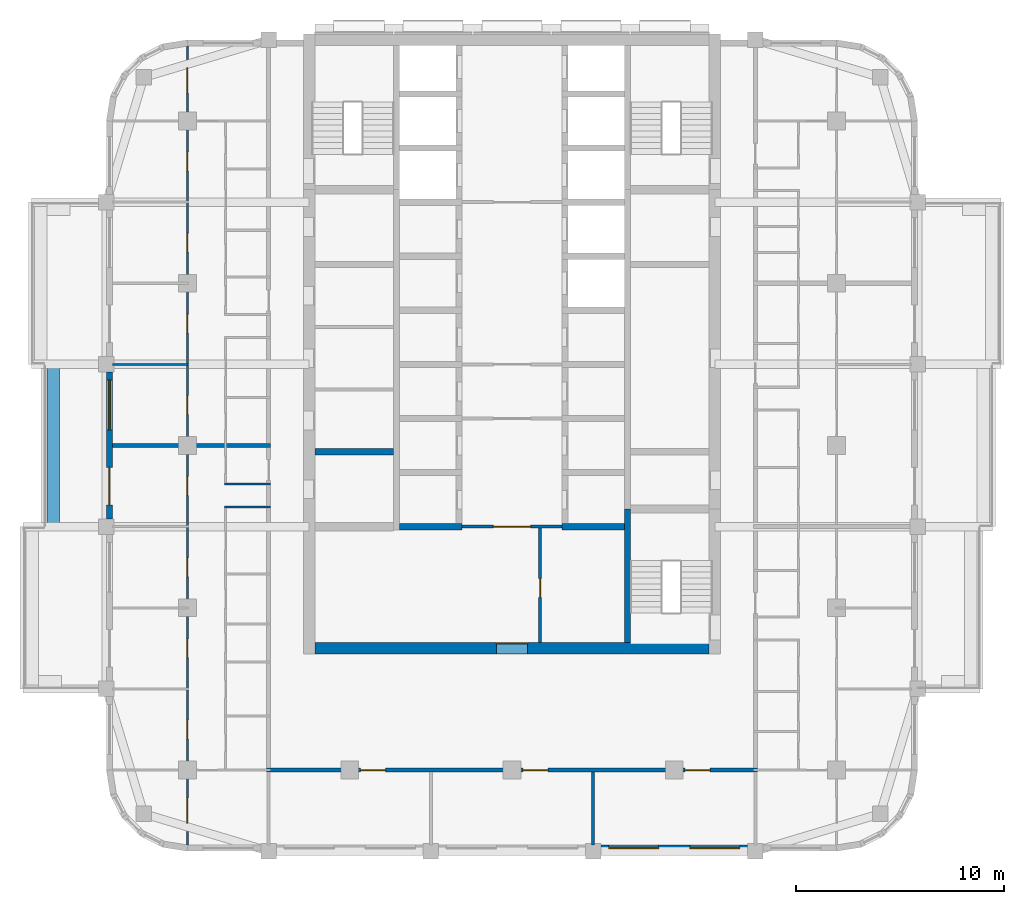
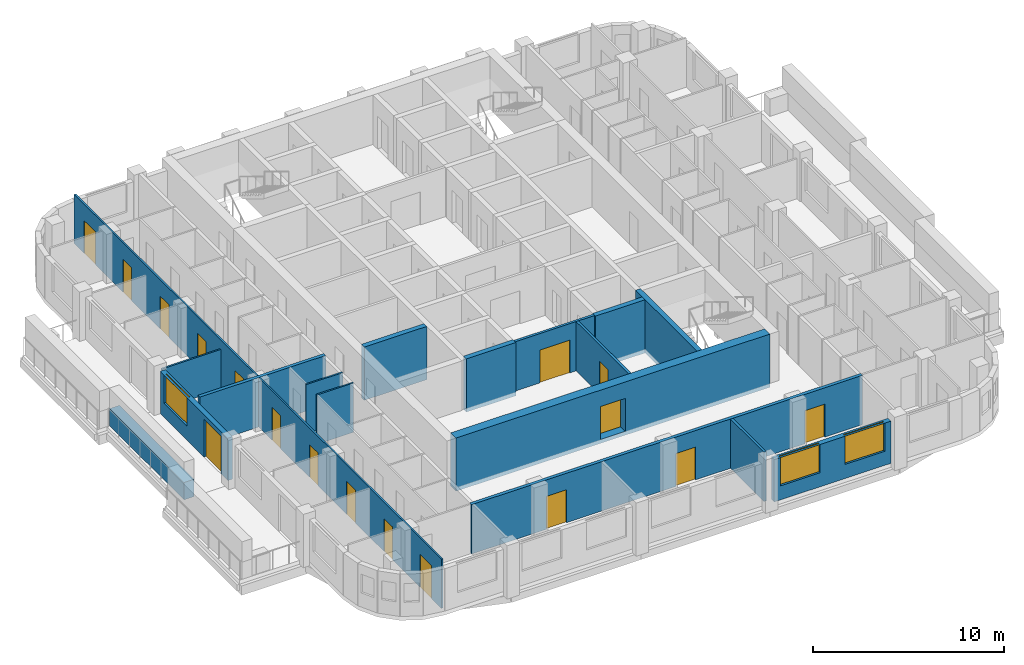
# One storey, part 3 of 13: 17 doors, 17 walls, 3 windows, 20 openings.
"""IFC4 building model written with IfcOpenShell, lengths in metres."""

from ifc_helpers import new_model, si_unit, direction, frame, frame_2d, origin, place, context, subcontext, project, spatial, rectangle, extrude, material, layer, layer_set, type_object, element, fill, save


model = new_model("IFC4")

# Units and contexts
model_context = context("Model", 3, precision=1e-05, world=origin(), true_north=direction((0.0, 1.0)))
body_context = subcontext(model_context, "Body", "Model", "MODEL_VIEW")
ifc_project = project(units=[si_unit("LENGTHUNIT", "METRE"), si_unit("AREAUNIT", "SQUARE_METRE"), si_unit("VOLUMEUNIT", "CUBIC_METRE"), si_unit("PLANEANGLEUNIT", "RADIAN"), si_unit("MASSUNIT", "GRAM", prefix="KILO")], contexts=[model_context])

# Site, building, storey
site_placement = place(None, origin())
site = spatial("IfcSite", under=ifc_project, at=site_placement, CompositionType="ELEMENT")
building_placement = place(site_placement, origin())
building = spatial("IfcBuilding", under=site, at=building_placement, Name="Ludao Terraces", CompositionType="ELEMENT")
storey_placement = place(building_placement, frame((0.0, 0.0, 186.0)))
storey = spatial("IfcBuildingStorey", under=building, at=storey_placement, Name="L50", CompositionType="ELEMENT", Elevation=186.0)

# Wall, opening, door
ifc_material_1 = material(Name="Concrete C60", Category="concrete")
ifc_layer_1 = layer(ifc_material_1, 0.550048828125)
ifc_layer_set_1 = layer_set([ifc_layer_1], Name="Core wall 550 C60")
wall_type_1 = type_object("IfcWallType", Name="Core wall 550 C60", PredefinedType="SOLIDWALL", material=ifc_layer_set_1)
wall_1_placement = place(storey_placement, frame((75.52490234375, 55.25, -0.25), z_axis=(0.0, 0.0, 1.0), x_axis=(1.0, 0.0, 0.0)))
wall_1 = element("IfcWall", 1, at=wall_1_placement, inside=storey, type_object=wall_type_1, Name="Core wall L50 outer-S", PredefinedType="SOLIDWALL", context=body_context, shape_type="SweptSolid", body=[
    extrude(rectangle(XDim=18.9501953125, YDim=0.550048828125, at=frame_2d((9.47509765625, 0.0))), origin(), (0.0, 0.0, 1.0), 3.39990234375),
])
opening_1_placement = place(wall_1_placement, frame((8.72509765625, 0.0, 0.25)))
opening_1 = element("IfcOpeningElement", 2, at=opening_1_placement, cuts=wall_1, Name="Opening R18-016", PredefinedType="OPENING", context=body_context, shape_type="SweptSolid", body=[
    extrude(rectangle(XDim=1.5, YDim=2.10009765625, at=frame_2d((0.75, 1.050048828125))), frame((0.0, 0.28515625, 0.0), z_axis=(0.0, -1.0, 0.0), x_axis=(1.0, 0.0, 0.0)), (0.0, 0.0, 1.0), 0.570068359375),
])
ifc_material_2 = material(Name="Steel Q235", Category="steel")
door_type_1 = type_object("IfcDoorType", Name="INT Lobby door 1500", OperationType="DOUBLE_DOOR_SINGLE_SWING", PredefinedType="DOOR", material=ifc_material_2)
door_1_placement = place(opening_1_placement, origin())
door_1 = element("IfcDoor", 3, at=door_1_placement, inside=storey, type_object=door_type_1, Name="DOOR 016", OperationType="DOUBLE_DOOR_SINGLE_SWING", OverallHeight=2.10009765625, OverallWidth=1.5, PredefinedType="DOOR", context=body_context, shape_type="SweptSolid", body=[
    extrude(rectangle(XDim=1.5, YDim=2.10009765625, at=frame_2d((0.75, 1.050048828125))), frame((0.0, 0.26025390625, 0.0), z_axis=(0.0, -1.0, 0.0), x_axis=(1.0, 0.0, 0.0)), (0.0, 0.0, 1.0), 0.050048828125),
])
fill(opening_1, door_1)

# Wall
ifc_material_3 = material(Name="Concrete C40", Category="concrete")
ifc_layer_2 = layer(ifc_material_3, 0.60009765625)
ifc_layer_set_2 = layer_set([ifc_layer_2], Name="ENV Planter trough 600")
wall_type_2 = type_object("IfcWallType", Name="ENV Planter trough 600", PredefinedType="USERDEFINED", material=ifc_layer_set_2)
wall_2_placement = place(storey_placement, frame((62.949951171875, 61.10009765625, 0.0), z_axis=(0.0, 0.0, 1.0), x_axis=(0.0, 1.0, 0.0)))
element("IfcWall", 4, at=wall_2_placement, inside=storey, type_object=wall_type_2, Name="PL-L50-W2", ObjectType="PLANTER", PredefinedType="USERDEFINED", context=body_context, shape_type="SweptSolid", body=[
    extrude(rectangle(XDim=7.7998046875, YDim=0.60009765625, at=frame_2d((3.89990234375, 0.0))), origin(), (0.0, 0.0, 1.0), 1.10009765625),
])

# Wall, openings, windows
ifc_material_4 = material(Name="Granite cladding", Category="masonry")
ifc_layer_3 = layer(ifc_material_4, 0.0400390625, Category="stone")
ifc_material_5 = material(Name="Mineral wool")
ifc_layer_4 = layer(ifc_material_5, 0.06005859375)
ifc_layer_5 = layer(ifc_material_3, 0.199951171875, Category="concrete")
ifc_layer_set_3 = layer_set([ifc_layer_3, ifc_layer_4, ifc_layer_5], Name="ENV Stone-clad wall 300")
wall_type_3 = type_object("IfcWallType", Name="ENV Stone-clad wall 300", PredefinedType="SOLIDWALL", material=ifc_layer_set_3)
wall_3_placement = place(storey_placement, frame((89.27490234375, 45.64990234375, 0.0), z_axis=(0.0, 0.0, 1.0), x_axis=(1.0, 0.0, 0.0)))
wall_3 = element("IfcWall", 5, at=wall_3_placement, inside=storey, type_object=wall_type_3, Name="EW-L50-S4", PredefinedType="SOLIDWALL", context=body_context, shape_type="SweptSolid", body=[
    extrude(rectangle(XDim=7.050048828125, YDim=0.300048828125, at=frame_2d((3.52490234375, 0.0))), origin(), (0.0, 0.0, 1.0), 2.699951171875),
])
opening_2_placement = place(wall_3_placement, frame((0.375, 0.0, 0.89990234375)))
opening_2 = element("IfcOpeningElement", 6, at=opening_2_placement, cuts=wall_3, Name="Opening W1", PredefinedType="OPENING", context=body_context, shape_type="SweptSolid", body=[
    extrude(rectangle(XDim=2.39990234375, YDim=1.800048828125, at=frame_2d((1.199951171875, 0.89990234375))), frame((0.0, 0.16015625, 0.0), z_axis=(0.0, -1.0, 0.0), x_axis=(1.0, 0.0, 0.0)), (0.0, 0.0, 1.0), 0.320068359375),
])
opening_3_placement = place(wall_3_placement, frame((4.27490234375, 0.0, 0.89990234375)))
opening_3 = element("IfcOpeningElement", 7, at=opening_3_placement, cuts=wall_3, Name="Opening W1", PredefinedType="OPENING", context=body_context, shape_type="SweptSolid", body=[
    extrude(rectangle(XDim=2.39990234375, YDim=1.800048828125, at=frame_2d((1.199951171875, 0.89990234375))), frame((0.0, 0.16015625, 0.0), z_axis=(0.0, -1.0, 0.0), x_axis=(1.0, 0.0, 0.0)), (0.0, 0.0, 1.0), 0.320068359375),
])
ifc_material_6 = material(Name="Clear glass in aluminium frame", Category="aluminium")
ifc_layer_6 = layer(ifc_material_6, 0.06005859375)
ifc_layer_set_4 = layer_set([ifc_layer_6], Name="ENV Window W1 2400x1800")
window_type = type_object("IfcWindowType", Name="ENV Window W1 2400x1800", PartitioningType="DOUBLE_PANEL_VERTICAL", PredefinedType="WINDOW", material=ifc_layer_set_4)
window_1_placement = place(opening_2_placement, origin())
window_1 = element("IfcWindow", 8, at=window_1_placement, inside=storey, type_object=window_type, Name="W-L50-S4-1", OverallHeight=1.800048828125, OverallWidth=2.39990234375, PartitioningType="DOUBLE_PANEL_VERTICAL", PredefinedType="WINDOW", context=body_context, shape_type="SweptSolid", body=[
    extrude(rectangle(XDim=2.39990234375, YDim=1.800048828125, at=frame_2d((1.199951171875, 0.89990234375))), frame((0.0, 0.030029296875, 0.0), z_axis=(0.0, -1.0, 0.0), x_axis=(1.0, 0.0, 0.0)), (0.0, 0.0, 1.0), 0.06005859375),
])
fill(opening_2, window_1)
window_2_placement = place(opening_3_placement, origin())
window_2 = element("IfcWindow", 9, at=window_2_placement, inside=storey, type_object=window_type, Name="W-L50-S4-2", OverallHeight=1.800048828125, OverallWidth=2.39990234375, PartitioningType="DOUBLE_PANEL_VERTICAL", PredefinedType="WINDOW", context=body_context, shape_type="SweptSolid", body=[
    extrude(rectangle(XDim=2.39990234375, YDim=1.800048828125, at=frame_2d((1.199951171875, 0.89990234375))), frame((0.0, 0.030029296875, 0.0), z_axis=(0.0, -1.0, 0.0), x_axis=(1.0, 0.0, 0.0)), (0.0, 0.0, 1.0), 0.06005859375),
])
fill(opening_3, window_2)

# Wall, openings, door, window
wall_4_placement = place(storey_placement, frame((65.64990234375, 61.47509765625, 0.0), z_axis=(0.0, 0.0, 1.0), x_axis=(0.0, 1.0, 0.0)))
wall_4 = element("IfcWall", 10, at=wall_4_placement, inside=storey, type_object=wall_type_3, Name="EW-L50-W3", PredefinedType="SOLIDWALL", context=body_context, shape_type="SweptSolid", body=[
    extrude(rectangle(XDim=7.0498046875, YDim=0.300048828125, at=frame_2d((3.52490234375, 0.0))), origin(), (0.0, 0.0, 1.0), 2.699951171875),
])
opening_4_placement = place(wall_4_placement, frame((0.675048828125, 0.0, 0.0)))
opening_4 = element("IfcOpeningElement", 11, at=opening_4_placement, cuts=wall_4, Name="Opening BD", PredefinedType="OPENING", context=body_context, shape_type="SweptSolid", body=[
    extrude(rectangle(XDim=1.800048828125, YDim=2.39990234375, at=frame_2d((0.89990234375, 1.199951171875))), frame((0.0, 0.16015625, 0.0), z_axis=(0.0, -1.0, 0.0), x_axis=(1.0, 0.0, 0.0)), (0.0, 0.0, 1.0), 0.320068359375),
])
opening_5_placement = place(wall_4_placement, frame((4.27490234375, 0.0, 0.89990234375)))
opening_5 = element("IfcOpeningElement", 12, at=opening_5_placement, cuts=wall_4, Name="Opening W1", PredefinedType="OPENING", context=body_context, shape_type="SweptSolid", body=[
    extrude(rectangle(XDim=2.39990234375, YDim=1.800048828125, at=frame_2d((1.199951171875, 0.89990234375))), frame((0.0, 0.16015625, 0.0), z_axis=(0.0, -1.0, 0.0), x_axis=(1.0, 0.0, 0.0)), (0.0, 0.0, 1.0), 0.320068359375),
])
ifc_material_7 = material(Name="Aluminium glazed door", Category="aluminium")
ifc_layer_7 = layer(ifc_material_7, 0.06005859375)
ifc_layer_set_5 = layer_set([ifc_layer_7], Name="ENV Balcony door BD 1800x2400")
door_type_2 = type_object("IfcDoorType", Name="ENV Balcony door BD 1800x2400", OperationType="DOUBLE_DOOR_SINGLE_SWING", PredefinedType="DOOR", material=ifc_layer_set_5)
door_2_placement = place(opening_4_placement, origin())
door_2 = element("IfcDoor", 13, at=door_2_placement, inside=storey, type_object=door_type_2, Name="BD-L50-W3-1", OperationType="DOUBLE_DOOR_SINGLE_SWING", OverallHeight=2.39990234375, OverallWidth=1.800048828125, PredefinedType="DOOR", context=body_context, shape_type="SweptSolid", body=[
    extrude(rectangle(XDim=1.800048828125, YDim=2.39990234375, at=frame_2d((0.89990234375, 1.199951171875))), frame((0.0, 0.02490234375, 0.0), z_axis=(0.0, -1.0, 0.0), x_axis=(1.0, 0.0, 0.0)), (0.0, 0.0, 1.0), 0.050048828125),
])
fill(opening_4, door_2)
window_3_placement = place(opening_5_placement, origin())
window_3 = element("IfcWindow", 14, at=window_3_placement, inside=storey, type_object=window_type, Name="W-L50-W3-2", OverallHeight=1.800048828125, OverallWidth=2.39990234375, PartitioningType="DOUBLE_PANEL_VERTICAL", PredefinedType="WINDOW", context=body_context, shape_type="SweptSolid", body=[
    extrude(rectangle(XDim=2.39990234375, YDim=1.800048828125, at=frame_2d((1.199951171875, 0.89990234375))), frame((0.0, 0.030029296875, 0.0), z_axis=(0.0, -1.0, 0.0), x_axis=(1.0, 0.0, 0.0)), (0.0, 0.0, 1.0), 0.06005859375),
])
fill(opening_5, window_3)

# Wall, opening, door
ifc_material_8 = material(Name="Fire-rated gypsum plasterboard", Category="gypsum")
ifc_layer_8 = layer(ifc_material_8, 0.012451171875, Category="gypsum")
ifc_layer_9 = layer(ifc_material_5, 0.10009765625, Name="insulation")
ifc_layer_10 = layer(ifc_material_2, 0.02490234375, Name="stud")
ifc_layer_11 = layer(ifc_material_8, 0.012451171875, Category="gypsum")
ifc_layer_set_6 = layer_set([ifc_layer_8, ifc_layer_9, ifc_layer_10, ifc_layer_11], Name="INT Core partition 150")
wall_type_4 = type_object("IfcWallType", Name="INT Core partition 150", PredefinedType="PARTITIONING", material=ifc_layer_set_6)
wall_5_placement = place(storey_placement, frame((82.60009765625, 61.10009765625, 0.0), z_axis=(0.0, 0.0, 1.0), x_axis=(1.0, 0.0, 0.0)))
wall_5 = element("IfcWall", 15, at=wall_5_placement, inside=storey, type_object=wall_type_4, Name="PW-L50-PW017", PredefinedType="PARTITIONING", context=body_context, shape_type="SweptSolid", body=[
    extrude(rectangle(XDim=4.800048828125, YDim=0.14990234375, at=frame_2d((2.39990234375, 0.0))), origin(), (0.0, 0.0, 1.0), 3.14990234375),
])
opening_6_placement = place(wall_5_placement, frame((1.5, 0.0, 0.0)))
opening_6 = element("IfcOpeningElement", 16, at=opening_6_placement, cuts=wall_5, Name="Opening R18-028", PredefinedType="OPENING", context=body_context, shape_type="SweptSolid", body=[
    extrude(rectangle(XDim=1.800048828125, YDim=2.10009765625, at=frame_2d((0.89990234375, 1.050048828125))), frame((0.0, 0.0849609375, 0.0), z_axis=(0.0, -1.0, 0.0), x_axis=(1.0, 0.0, 0.0)), (0.0, 0.0, 1.0), 0.169921875),
])
door_type_3 = type_object("IfcDoorType", Name="INT Fire lobby door 1800", OperationType="DOUBLE_DOOR_SINGLE_SWING", PredefinedType="DOOR", material=ifc_material_2)
door_3_placement = place(opening_6_placement, origin())
door_3 = element("IfcDoor", 17, at=door_3_placement, inside=storey, type_object=door_type_3, Name="DOOR 028", OperationType="DOUBLE_DOOR_SINGLE_SWING", OverallHeight=2.10009765625, OverallWidth=1.800048828125, PredefinedType="DOOR", context=body_context, shape_type="SweptSolid", body=[
    extrude(rectangle(XDim=1.800048828125, YDim=2.10009765625, at=frame_2d((0.89990234375, 1.050048828125))), frame((0.0, 0.02490234375, 0.0), z_axis=(0.0, -1.0, 0.0), x_axis=(1.0, 0.0, 0.0)), (0.0, 0.0, 1.0), 0.050048828125),
])
fill(opening_6, door_3)

wall_6_placement = place(storey_placement, frame((86.35009765625, 55.525146484375, 0.0), z_axis=(0.0, 0.0, 1.0), x_axis=(0.0, 1.0, 0.0)))
wall_6 = element("IfcWall", 18, at=wall_6_placement, inside=storey, type_object=wall_type_4, Name="PW-L50-PW056", PredefinedType="PARTITIONING", context=body_context, shape_type="SweptSolid", body=[
    extrude(rectangle(XDim=5.5, YDim=0.14990234375, at=frame_2d((2.75, 0.0))), origin(), (0.0, 0.0, 1.0), 3.14990234375),
])
opening_7_placement = place(wall_6_placement, frame((2.175048828125, 0.0, 0.0)))
opening_7 = element("IfcOpeningElement", 19, at=opening_7_placement, cuts=wall_6, Name="Opening R18-023", PredefinedType="OPENING", context=body_context, shape_type="SweptSolid", body=[
    extrude(rectangle(XDim=0.89990234375, YDim=2.10009765625, at=frame_2d((0.449951171875, 1.050048828125))), frame((0.0, 0.0849609375, 0.0), z_axis=(0.0, -1.0, 0.0), x_axis=(1.0, 0.0, 0.0)), (0.0, 0.0, 1.0), 0.169921875),
])
ifc_material_9 = material(Name="Timber door leaf", Category="wood")
door_type_4 = type_object("IfcDoorType", Name="INT Room door 900", OperationType="SINGLE_SWING_LEFT", PredefinedType="DOOR", material=ifc_material_9)
door_4_placement = place(opening_7_placement, origin())
door_4 = element("IfcDoor", 20, at=door_4_placement, inside=storey, type_object=door_type_4, Name="DOOR 023", OperationType="SINGLE_SWING_RIGHT", OverallHeight=2.10009765625, OverallWidth=0.89990234375, PredefinedType="DOOR", context=body_context, shape_type="SweptSolid", body=[
    extrude(rectangle(XDim=0.89990234375, YDim=2.10009765625, at=frame_2d((0.449951171875, 1.050048828125))), frame((0.0, 0.02490234375, 0.0), z_axis=(0.0, -1.0, 0.0), x_axis=(1.0, 0.0, 0.0)), (0.0, 0.0, 1.0), 0.050048828125),
])
fill(opening_7, door_4)

# Wall, openings, doors
ifc_material_10 = material(Name="Autoclaved aerated concrete block B06 A3.5", Category="concrete")
ifc_layer_12 = layer(ifc_material_10, 0.199951171875)
ifc_layer_set_7 = layer_set([ifc_layer_12], Name="INT Entrance wall 200")
wall_type_5 = type_object("IfcWallType", Name="INT Entrance wall 200", PredefinedType="PARTITIONING", material=ifc_layer_set_7)
wall_7_placement = place(storey_placement, frame((73.2001953125, 49.39990234375, 0.0), z_axis=(0.0, 0.0, 1.0), x_axis=(1.0, 0.0, 0.0)))
wall_7 = element("IfcWall", 21, at=wall_7_placement, inside=storey, type_object=wall_type_5, Name="PW-L50-PW001", PredefinedType="PARTITIONING", context=body_context, shape_type="SweptSolid", body=[
    extrude(rectangle(XDim=23.599853515625, YDim=0.199951171875, at=frame_2d((11.7998046875, 0.0))), origin(), (0.0, 0.0, 1.0), 3.14990234375),
])
opening_8_placement = place(wall_7_placement, frame((4.52490234375, 0.0, 0.0)))
opening_8 = element("IfcOpeningElement", 22, at=opening_8_placement, cuts=wall_7, Name="Opening R18-004", PredefinedType="OPENING", context=body_context, shape_type="SweptSolid", body=[
    extrude(rectangle(XDim=1.199951171875, YDim=2.10009765625, at=frame_2d((0.60009765625, 1.050048828125))), frame((0.0, 0.10986328125, 0.0), z_axis=(0.0, -1.0, 0.0), x_axis=(1.0, 0.0, 0.0)), (0.0, 0.0, 1.0), 0.219970703125),
])
opening_9_placement = place(wall_7_placement, frame((12.324951171875, 0.0, 0.0)))
opening_9 = element("IfcOpeningElement", 23, at=opening_9_placement, cuts=wall_7, Name="Opening R18-005", PredefinedType="OPENING", context=body_context, shape_type="SweptSolid", body=[
    extrude(rectangle(XDim=1.199951171875, YDim=2.10009765625, at=frame_2d((0.60009765625, 1.050048828125))), frame((0.0, 0.10986328125, 0.0), z_axis=(0.0, -1.0, 0.0), x_axis=(1.0, 0.0, 0.0)), (0.0, 0.0, 1.0), 0.219970703125),
])
opening_10_placement = place(wall_7_placement, frame((20.125, 0.0, 0.0)))
opening_10 = element("IfcOpeningElement", 24, at=opening_10_placement, cuts=wall_7, Name="Opening R18-006", PredefinedType="OPENING", context=body_context, shape_type="SweptSolid", body=[
    extrude(rectangle(XDim=1.199951171875, YDim=2.10009765625, at=frame_2d((0.60009765625, 1.050048828125))), frame((0.0, 0.10986328125, 0.0), z_axis=(0.0, -1.0, 0.0), x_axis=(1.0, 0.0, 0.0)), (0.0, 0.0, 1.0), 0.219970703125),
])
door_type_5 = type_object("IfcDoorType", Name="INT Double door 1200", OperationType="DOUBLE_DOOR_SINGLE_SWING", PredefinedType="DOOR", material=ifc_material_9)
door_5_placement = place(opening_8_placement, origin())
door_5 = element("IfcDoor", 25, at=door_5_placement, inside=storey, type_object=door_type_5, Name="DOOR 004", OperationType="DOUBLE_DOOR_SINGLE_SWING", OverallHeight=2.10009765625, OverallWidth=1.199951171875, PredefinedType="DOOR", context=body_context, shape_type="SweptSolid", body=[
    extrude(rectangle(XDim=1.199951171875, YDim=2.10009765625, at=frame_2d((0.60009765625, 1.050048828125))), frame((0.0, 0.02490234375, 0.0), z_axis=(0.0, -1.0, 0.0), x_axis=(1.0, 0.0, 0.0)), (0.0, 0.0, 1.0), 0.050048828125),
])
fill(opening_8, door_5)
door_6_placement = place(opening_9_placement, origin())
door_6 = element("IfcDoor", 26, at=door_6_placement, inside=storey, type_object=door_type_5, Name="DOOR 005", OperationType="DOUBLE_DOOR_SINGLE_SWING", OverallHeight=2.10009765625, OverallWidth=1.199951171875, PredefinedType="DOOR", context=body_context, shape_type="SweptSolid", body=[
    extrude(rectangle(XDim=1.199951171875, YDim=2.10009765625, at=frame_2d((0.60009765625, 1.050048828125))), frame((0.0, 0.02490234375, 0.0), z_axis=(0.0, -1.0, 0.0), x_axis=(1.0, 0.0, 0.0)), (0.0, 0.0, 1.0), 0.050048828125),
])
fill(opening_9, door_6)
door_7_placement = place(opening_10_placement, origin())
door_7 = element("IfcDoor", 27, at=door_7_placement, inside=storey, type_object=door_type_5, Name="DOOR 006", OperationType="DOUBLE_DOOR_SINGLE_SWING", OverallHeight=2.10009765625, OverallWidth=1.199951171875, PredefinedType="DOOR", context=body_context, shape_type="SweptSolid", body=[
    extrude(rectangle(XDim=1.199951171875, YDim=2.10009765625, at=frame_2d((0.60009765625, 1.050048828125))), frame((0.0, 0.02490234375, 0.0), z_axis=(0.0, -1.0, 0.0), x_axis=(1.0, 0.0, 0.0)), (0.0, 0.0, 1.0), 0.050048828125),
])
fill(opening_10, door_7)

# Walls
ifc_material_11 = material(Name="Gypsum plasterboard", Category="gypsum")
ifc_layer_13 = layer(ifc_material_11, 0.012451171875, Category="gypsum")
ifc_layer_14 = layer(ifc_material_5, 0.06005859375, Name="insulation")
ifc_layer_15 = layer(ifc_material_2, 0.014892578125, Name="stud")
ifc_layer_16 = layer(ifc_material_11, 0.012451171875, Category="gypsum")
ifc_layer_set_8 = layer_set([ifc_layer_13, ifc_layer_14, ifc_layer_15, ifc_layer_16], Name="INT Partition 100")
wall_type_6 = type_object("IfcWallType", Name="INT Partition 100", PredefinedType="PARTITIONING", material=ifc_layer_set_8)
for number, where, z_axis, x_axis, name in (
    (28, (71.18017578125, 62.050048828125, 0.0), (0.0, 0.0, 1.0), (1.0, 0.0, 0.0), "PW-L50-PW019"),
    (29, (71.18017578125, 63.14990234375, 0.0), (0.0, 0.0, 1.0), (1.0, 0.0, 0.0), "PW-L50-PW020"),
):
    element("IfcWall", number, at=place(storey_placement, frame(where, z_axis=z_axis, x_axis=x_axis)), inside=storey, type_object=wall_type_6, Name=name, PredefinedType="PARTITIONING", context=body_context, shape_type="SweptSolid", body=[
        extrude(rectangle(XDim=2.219970703125, YDim=0.10009765625, at=frame_2d((1.10986328125, 0.0))), origin(), (0.0, 0.0, 1.0), 3.14990234375),
    ])
wall_8_placement = place(storey_placement, frame((65.800048828125, 68.89990234375, 0.0), z_axis=(0.0, 0.0, 1.0), x_axis=(1.0, 0.0, 0.0)))
element("IfcWall", 30, at=wall_8_placement, inside=storey, type_object=wall_type_6, Name="PW-L50-PW028", PredefinedType="PARTITIONING", context=body_context, shape_type="SweptSolid", body=[
    extrude(rectangle(XDim=3.650146484375, YDim=0.10009765625, at=frame_2d((1.8251953125, 0.0))), origin(), (0.0, 0.0, 1.0), 2.550048828125),
])

# Wall, openings, doors
wall_9_placement = place(storey_placement, frame((69.39990234375, 45.800048828125, 0.0), z_axis=(0.0, 0.0, 1.0), x_axis=(0.0, 1.0, 0.0)))
wall_9 = element("IfcWall", 31, at=wall_9_placement, inside=storey, type_object=wall_type_6, Name="PW-L50-PW049", PredefinedType="PARTITIONING", context=body_context, shape_type="SweptSolid", body=[
    extrude(rectangle(XDim=38.400146484375, YDim=0.10009765625, at=frame_2d((19.2001953125, 0.0))), origin(), (0.0, 0.0, 1.0), 3.14990234375),
])
opening_11_placement = place(wall_9_placement, frame((1.050048828125, 0.0, 0.0)))
opening_11 = element("IfcOpeningElement", 32, at=opening_11_placement, cuts=wall_9, Name="Opening R18-001", PredefinedType="OPENING", context=body_context, shape_type="SweptSolid", body=[
    extrude(rectangle(XDim=1.199951171875, YDim=2.10009765625, at=frame_2d((0.60009765625, 1.050048828125))), frame((0.0, 0.06005859375, 0.0), z_axis=(0.0, -1.0, 0.0), x_axis=(1.0, 0.0, 0.0)), (0.0, 0.0, 1.0), 0.1201171875),
])
opening_12_placement = place(wall_9_placement, frame((5.10009765625, 0.0, 0.0)))
opening_12 = element("IfcOpeningElement", 33, at=opening_12_placement, cuts=wall_9, Name="Opening R18-010", PredefinedType="OPENING", context=body_context, shape_type="SweptSolid", body=[
    extrude(rectangle(XDim=0.89990234375, YDim=2.10009765625, at=frame_2d((0.449951171875, 1.050048828125))), frame((0.0, 0.06005859375, 0.0), z_axis=(0.0, -1.0, 0.0), x_axis=(1.0, 0.0, 0.0)), (0.0, 0.0, 1.0), 0.1201171875),
])
opening_13_placement = place(wall_9_placement, frame((9.0, 0.0, 0.0)))
opening_13 = element("IfcOpeningElement", 34, at=opening_13_placement, cuts=wall_9, Name="Opening R18-015", PredefinedType="OPENING", context=body_context, shape_type="SweptSolid", body=[
    extrude(rectangle(XDim=0.89990234375, YDim=2.10009765625, at=frame_2d((0.449951171875, 1.050048828125))), frame((0.0, 0.06005859375, 0.0), z_axis=(0.0, -1.0, 0.0), x_axis=(1.0, 0.0, 0.0)), (0.0, 0.0, 1.0), 0.1201171875),
])
opening_14_placement = place(wall_9_placement, frame((12.89990234375, 0.0, 0.0)))
opening_14 = element("IfcOpeningElement", 35, at=opening_14_placement, cuts=wall_9, Name="Opening R18-024", PredefinedType="OPENING", context=body_context, shape_type="SweptSolid", body=[
    extrude(rectangle(XDim=0.89990234375, YDim=2.10009765625, at=frame_2d((0.449951171875, 1.050048828125))), frame((0.0, 0.06005859375, 0.0), z_axis=(0.0, -1.0, 0.0), x_axis=(1.0, 0.0, 0.0)), (0.0, 0.0, 1.0), 0.1201171875),
])
opening_15_placement = place(wall_9_placement, frame((16.800048828125, 0.0, 0.0)))
opening_15 = element("IfcOpeningElement", 36, at=opening_15_placement, cuts=wall_9, Name="Opening R18-033", PredefinedType="OPENING", context=body_context, shape_type="SweptSolid", body=[
    extrude(rectangle(XDim=0.89990234375, YDim=2.10009765625, at=frame_2d((0.449951171875, 1.050048828125))), frame((0.0, 0.06005859375, 0.0), z_axis=(0.0, -1.0, 0.0), x_axis=(1.0, 0.0, 0.0)), (0.0, 0.0, 1.0), 0.1201171875),
])
opening_16_placement = place(wall_9_placement, frame((20.699951171875, 0.0, 0.0)))
opening_16 = element("IfcOpeningElement", 37, at=opening_16_placement, cuts=wall_9, Name="Opening R18-044", PredefinedType="OPENING", context=body_context, shape_type="SweptSolid", body=[
    extrude(rectangle(XDim=0.89990234375, YDim=2.10009765625, at=frame_2d((0.449951171875, 1.050048828125))), frame((0.0, 0.06005859375, 0.0), z_axis=(0.0, -1.0, 0.0), x_axis=(1.0, 0.0, 0.0)), (0.0, 0.0, 1.0), 0.1201171875),
])
opening_17_placement = place(wall_9_placement, frame((24.60009765625, 0.0, 0.0)))
opening_17 = element("IfcOpeningElement", 38, at=opening_17_placement, cuts=wall_9, Name="Opening R18-055", PredefinedType="OPENING", context=body_context, shape_type="SweptSolid", body=[
    extrude(rectangle(XDim=0.89990234375, YDim=2.10009765625, at=frame_2d((0.449951171875, 1.050048828125))), frame((0.0, 0.06005859375, 0.0), z_axis=(0.0, -1.0, 0.0), x_axis=(1.0, 0.0, 0.0)), (0.0, 0.0, 1.0), 0.1201171875),
])
opening_18_placement = place(wall_9_placement, frame((28.5, 0.0, 0.0)))
opening_18 = element("IfcOpeningElement", 39, at=opening_18_placement, cuts=wall_9, Name="Opening R18-065", PredefinedType="OPENING", context=body_context, shape_type="SweptSolid", body=[
    extrude(rectangle(XDim=0.89990234375, YDim=2.10009765625, at=frame_2d((0.449951171875, 1.050048828125))), frame((0.0, 0.06005859375, 0.0), z_axis=(0.0, -1.0, 0.0), x_axis=(1.0, 0.0, 0.0)), (0.0, 0.0, 1.0), 0.1201171875),
])
opening_19_placement = place(wall_9_placement, frame((32.39990234375, 0.0, 0.0)))
opening_19 = element("IfcOpeningElement", 40, at=opening_19_placement, cuts=wall_9, Name="Opening R18-079", PredefinedType="OPENING", context=body_context, shape_type="SweptSolid", body=[
    extrude(rectangle(XDim=0.89990234375, YDim=2.10009765625, at=frame_2d((0.449951171875, 1.050048828125))), frame((0.0, 0.06005859375, 0.0), z_axis=(0.0, -1.0, 0.0), x_axis=(1.0, 0.0, 0.0)), (0.0, 0.0, 1.0), 0.1201171875),
])
opening_20_placement = place(wall_9_placement, frame((36.14990234375, 0.0, 0.0)))
opening_20 = element("IfcOpeningElement", 41, at=opening_20_placement, cuts=wall_9, Name="Opening R18-088", PredefinedType="OPENING", context=body_context, shape_type="SweptSolid", body=[
    extrude(rectangle(XDim=1.199951171875, YDim=2.10009765625, at=frame_2d((0.60009765625, 1.050048828125))), frame((0.0, 0.06005859375, 0.0), z_axis=(0.0, -1.0, 0.0), x_axis=(1.0, 0.0, 0.0)), (0.0, 0.0, 1.0), 0.1201171875),
])
door_8_placement = place(opening_11_placement, origin())
door_8 = element("IfcDoor", 42, at=door_8_placement, inside=storey, type_object=door_type_5, Name="DOOR 001", OperationType="DOUBLE_DOOR_SINGLE_SWING", OverallHeight=2.10009765625, OverallWidth=1.199951171875, PredefinedType="DOOR", context=body_context, shape_type="SweptSolid", body=[
    extrude(rectangle(XDim=1.199951171875, YDim=2.10009765625, at=frame_2d((0.60009765625, 1.050048828125))), frame((0.0, 0.02490234375, 0.0), z_axis=(0.0, -1.0, 0.0), x_axis=(1.0, 0.0, 0.0)), (0.0, 0.0, 1.0), 0.050048828125),
])
fill(opening_11, door_8)
door_9_placement = place(opening_20_placement, origin())
door_9 = element("IfcDoor", 43, at=door_9_placement, inside=storey, type_object=door_type_5, Name="DOOR 088", OperationType="DOUBLE_DOOR_SINGLE_SWING", OverallHeight=2.10009765625, OverallWidth=1.199951171875, PredefinedType="DOOR", context=body_context, shape_type="SweptSolid", body=[
    extrude(rectangle(XDim=1.199951171875, YDim=2.10009765625, at=frame_2d((0.60009765625, 1.050048828125))), frame((0.0, 0.02490234375, 0.0), z_axis=(0.0, -1.0, 0.0), x_axis=(1.0, 0.0, 0.0)), (0.0, 0.0, 1.0), 0.050048828125),
])
fill(opening_20, door_9)
door_10_placement = place(opening_12_placement, origin())
door_10 = element("IfcDoor", 44, at=door_10_placement, inside=storey, type_object=door_type_4, Name="DOOR 010", OperationType="SINGLE_SWING_RIGHT", OverallHeight=2.10009765625, OverallWidth=0.89990234375, PredefinedType="DOOR", context=body_context, shape_type="SweptSolid", body=[
    extrude(rectangle(XDim=0.89990234375, YDim=2.10009765625, at=frame_2d((0.449951171875, 1.050048828125))), frame((0.0, 0.02490234375, 0.0), z_axis=(0.0, -1.0, 0.0), x_axis=(1.0, 0.0, 0.0)), (0.0, 0.0, 1.0), 0.050048828125),
])
fill(opening_12, door_10)
door_11_placement = place(opening_13_placement, origin())
door_11 = element("IfcDoor", 45, at=door_11_placement, inside=storey, type_object=door_type_4, Name="DOOR 015", OperationType="SINGLE_SWING_LEFT", OverallHeight=2.10009765625, OverallWidth=0.89990234375, PredefinedType="DOOR", context=body_context, shape_type="SweptSolid", body=[
    extrude(rectangle(XDim=0.89990234375, YDim=2.10009765625, at=frame_2d((0.449951171875, 1.050048828125))), frame((0.0, 0.02490234375, 0.0), z_axis=(0.0, -1.0, 0.0), x_axis=(1.0, 0.0, 0.0)), (0.0, 0.0, 1.0), 0.050048828125),
])
fill(opening_13, door_11)
door_12_placement = place(opening_14_placement, origin())
door_12 = element("IfcDoor", 46, at=door_12_placement, inside=storey, type_object=door_type_4, Name="DOOR 024", OperationType="SINGLE_SWING_RIGHT", OverallHeight=2.10009765625, OverallWidth=0.89990234375, PredefinedType="DOOR", context=body_context, shape_type="SweptSolid", body=[
    extrude(rectangle(XDim=0.89990234375, YDim=2.10009765625, at=frame_2d((0.449951171875, 1.050048828125))), frame((0.0, 0.02490234375, 0.0), z_axis=(0.0, -1.0, 0.0), x_axis=(1.0, 0.0, 0.0)), (0.0, 0.0, 1.0), 0.050048828125),
])
fill(opening_14, door_12)
door_13_placement = place(opening_15_placement, origin())
door_13 = element("IfcDoor", 47, at=door_13_placement, inside=storey, type_object=door_type_4, Name="DOOR 033", OperationType="SINGLE_SWING_RIGHT", OverallHeight=2.10009765625, OverallWidth=0.89990234375, PredefinedType="DOOR", context=body_context, shape_type="SweptSolid", body=[
    extrude(rectangle(XDim=0.89990234375, YDim=2.10009765625, at=frame_2d((0.449951171875, 1.050048828125))), frame((0.0, 0.02490234375, 0.0), z_axis=(0.0, -1.0, 0.0), x_axis=(1.0, 0.0, 0.0)), (0.0, 0.0, 1.0), 0.050048828125),
])
fill(opening_15, door_13)
door_14_placement = place(opening_16_placement, origin())
door_14 = element("IfcDoor", 48, at=door_14_placement, inside=storey, type_object=door_type_4, Name="DOOR 044", OperationType="SINGLE_SWING_RIGHT", OverallHeight=2.10009765625, OverallWidth=0.89990234375, PredefinedType="DOOR", context=body_context, shape_type="SweptSolid", body=[
    extrude(rectangle(XDim=0.89990234375, YDim=2.10009765625, at=frame_2d((0.449951171875, 1.050048828125))), frame((0.0, 0.02490234375, 0.0), z_axis=(0.0, -1.0, 0.0), x_axis=(1.0, 0.0, 0.0)), (0.0, 0.0, 1.0), 0.050048828125),
])
fill(opening_16, door_14)
door_15_placement = place(opening_17_placement, origin())
door_15 = element("IfcDoor", 49, at=door_15_placement, inside=storey, type_object=door_type_4, Name="DOOR 055", OperationType="SINGLE_SWING_LEFT", OverallHeight=2.10009765625, OverallWidth=0.89990234375, PredefinedType="DOOR", context=body_context, shape_type="SweptSolid", body=[
    extrude(rectangle(XDim=0.89990234375, YDim=2.10009765625, at=frame_2d((0.449951171875, 1.050048828125))), frame((0.0, 0.02490234375, 0.0), z_axis=(0.0, -1.0, 0.0), x_axis=(1.0, 0.0, 0.0)), (0.0, 0.0, 1.0), 0.050048828125),
])
fill(opening_17, door_15)
door_16_placement = place(opening_18_placement, origin())
door_16 = element("IfcDoor", 50, at=door_16_placement, inside=storey, type_object=door_type_4, Name="DOOR 065", OperationType="SINGLE_SWING_LEFT", OverallHeight=2.10009765625, OverallWidth=0.89990234375, PredefinedType="DOOR", context=body_context, shape_type="SweptSolid", body=[
    extrude(rectangle(XDim=0.89990234375, YDim=2.10009765625, at=frame_2d((0.449951171875, 1.050048828125))), frame((0.0, 0.02490234375, 0.0), z_axis=(0.0, -1.0, 0.0), x_axis=(1.0, 0.0, 0.0)), (0.0, 0.0, 1.0), 0.050048828125),
])
fill(opening_18, door_16)
door_17_placement = place(opening_19_placement, origin())
door_17 = element("IfcDoor", 51, at=door_17_placement, inside=storey, type_object=door_type_4, Name="DOOR 079", OperationType="SINGLE_SWING_LEFT", OverallHeight=2.10009765625, OverallWidth=0.89990234375, PredefinedType="DOOR", context=body_context, shape_type="SweptSolid", body=[
    extrude(rectangle(XDim=0.89990234375, YDim=2.10009765625, at=frame_2d((0.449951171875, 1.050048828125))), frame((0.0, 0.02490234375, 0.0), z_axis=(0.0, -1.0, 0.0), x_axis=(1.0, 0.0, 0.0)), (0.0, 0.0, 1.0), 0.050048828125),
])
fill(opening_19, door_17)

# Walls
ifc_layer_17 = layer(ifc_material_10, 0.14990234375)
ifc_layer_set_9 = layer_set([ifc_layer_17], Name="INT Party wall 150")
wall_type_7 = type_object("IfcWallType", Name="INT Party wall 150", PredefinedType="PARTITIONING", material=ifc_layer_set_9)
wall_10_placement = place(storey_placement, frame((88.89990234375, 45.800048828125, 0.0), z_axis=(0.0, 0.0, 1.0), x_axis=(0.0, 1.0, 0.0)))
element("IfcWall", 52, at=wall_10_placement, inside=storey, type_object=wall_type_7, Name="PW-L50-PW057", PredefinedType="PARTITIONING", context=body_context, shape_type="SweptSolid", body=[
    extrude(rectangle(XDim=3.5, YDim=0.14990234375, at=frame_2d((1.75, 0.0))), origin(), (0.0, 0.0, 1.0), 3.14990234375),
])
ifc_layer_18 = layer(ifc_material_10, 0.199951171875)
ifc_layer_set_10 = layer_set([ifc_layer_18], Name="INT Party wall 200")
wall_type_8 = type_object("IfcWallType", Name="INT Party wall 200", PredefinedType="PARTITIONING", material=ifc_layer_set_10)
wall_11_placement = place(storey_placement, frame((65.800048828125, 65.0, 0.0), z_axis=(0.0, 0.0, 1.0), x_axis=(1.0, 0.0, 0.0)))
element("IfcWall", 53, at=wall_11_placement, inside=storey, type_object=wall_type_8, Name="PW-L50-PW022", PredefinedType="PARTITIONING", context=body_context, shape_type="SweptSolid", body=[
    extrude(rectangle(XDim=7.60009765625, YDim=0.199951171875, at=frame_2d((3.800048828125, 0.0))), origin(), (0.0, 0.0, 1.0), 3.14990234375),
])
ifc_material_12 = material(Name="Concrete C55", Category="concrete")
ifc_layer_19 = layer(ifc_material_12, 0.300048828125)
ifc_layer_set_11 = layer_set([ifc_layer_19], Name="Shaft wall 300 C55")
wall_type_9 = type_object("IfcWallType", Name="Shaft wall 300 C55", PredefinedType="SOLIDWALL", material=ifc_layer_set_11)
wall_12_placement = place(storey_placement, frame((90.550048828125, 55.52490234375, -0.25), z_axis=(0.0, 0.0, 1.0), x_axis=(0.0, 1.0, 0.0)))
element("IfcWall", 54, at=wall_12_placement, inside=storey, type_object=wall_type_9, Name="Core wall L50 back-E-S3", PredefinedType="SOLIDWALL", context=body_context, shape_type="SweptSolid", body=[
    extrude(rectangle(XDim=6.425048828125, YDim=0.300048828125, at=frame_2d((3.21240234375, 0.0))), origin(), (0.0, 0.0, 1.0), 3.39990234375),
])
for number, where, z_axis, x_axis, name in (
    (55, (79.60009765625, 61.10009765625, -0.25), (0.0, 0.0, 1.0), (1.0, 0.0, 0.0), "Core wall L50 div-W1"),
    (56, (87.39990234375, 61.10009765625, -0.25), (0.0, 0.0, 1.0), (1.0, 0.0, 0.0), "Core wall L50 div-E1"),
):
    element("IfcWall", number, at=place(storey_placement, frame(where, z_axis=z_axis, x_axis=x_axis)), inside=storey, type_object=wall_type_9, Name=name, PredefinedType="SOLIDWALL", context=body_context, shape_type="SweptSolid", body=[
        extrude(rectangle(XDim=3.0, YDim=0.300048828125, at=frame_2d((1.5, 0.0))), origin(), (0.0, 0.0, 1.0), 3.39990234375),
    ])
wall_13_placement = place(storey_placement, frame((75.52490234375, 64.699951171875, -0.25), z_axis=(0.0, 0.0, 1.0), x_axis=(1.0, 0.0, 0.0)))
element("IfcWall", 57, at=wall_13_placement, inside=storey, type_object=wall_type_9, Name="Core wall L50 riser-a-W", PredefinedType="SOLIDWALL", context=body_context, shape_type="SweptSolid", body=[
    extrude(rectangle(XDim=3.775146484375, YDim=0.300048828125, at=frame_2d((1.8876953125, 0.0))), origin(), (0.0, 0.0, 1.0), 3.39990234375),
])

save(model, "model.ifc")
